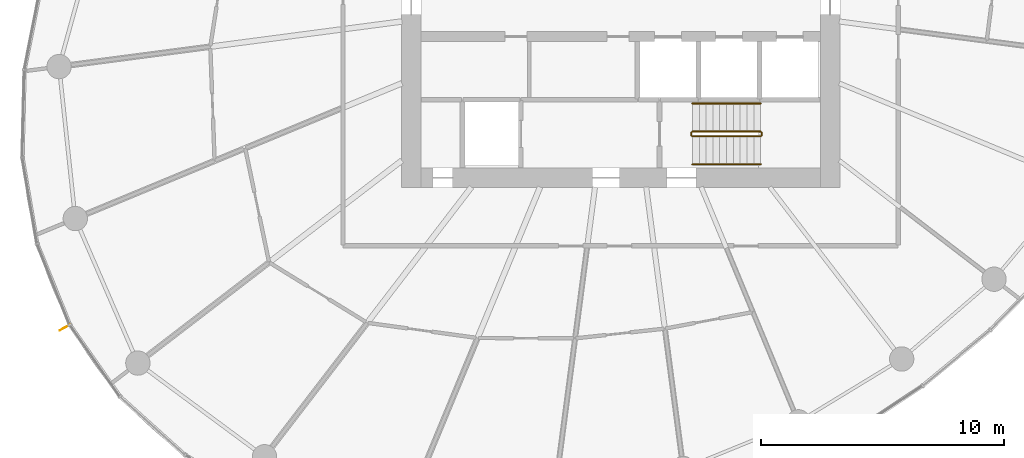
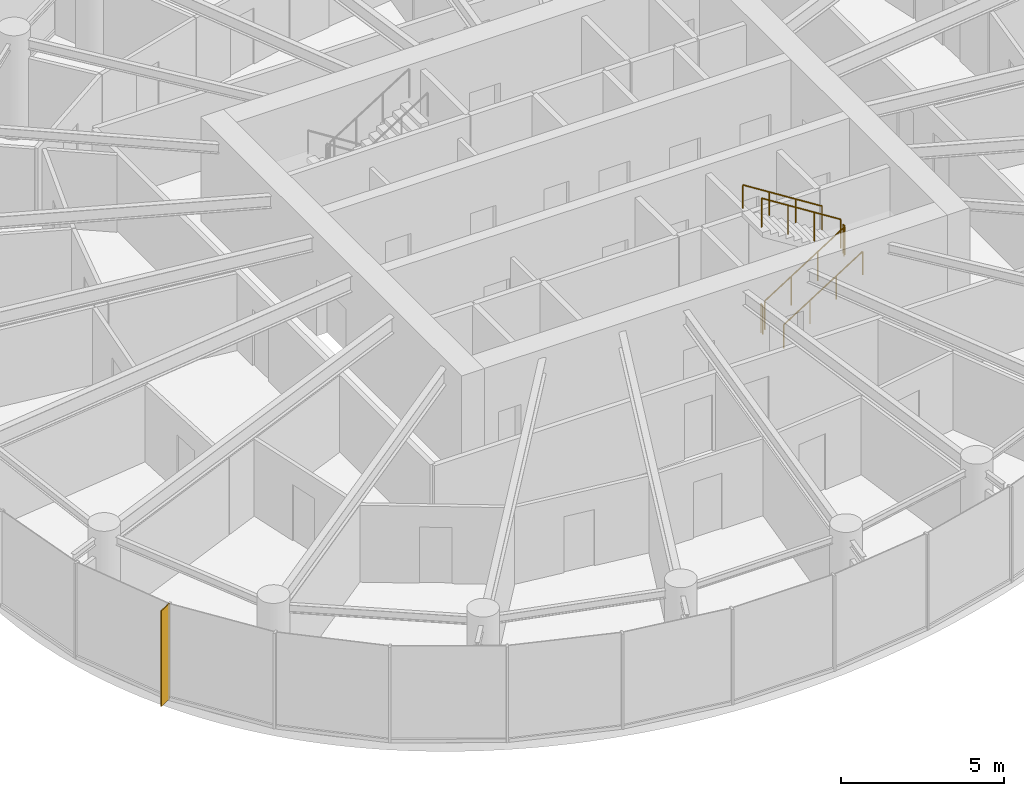
# One storey, part 13 of 15: 6 railings, 1 shading device.
"""IFC4 building model written with IfcOpenShell, lengths in metres."""

from ifc_helpers import new_model, si_unit, direction, frame, origin, origin_2d, place, context, subcontext, project, spatial, rectangle, circle, extrude, source, transform, mapped, material, material_profile, profile_set, type_object, element, save


model = new_model("IFC4")

# Units and contexts
model_context = context("Model", 3, precision=1e-05, world=origin(), true_north=direction((0.0, 1.0)))
body_context = subcontext(model_context, "Body", "Model", "MODEL_VIEW")
ifc_project = project(units=[si_unit("LENGTHUNIT", "METRE"), si_unit("AREAUNIT", "SQUARE_METRE"), si_unit("VOLUMEUNIT", "CUBIC_METRE"), si_unit("PLANEANGLEUNIT", "RADIAN"), si_unit("MASSUNIT", "GRAM", prefix="KILO")], contexts=[model_context])

# Site, building, storey
site_placement = place(None, origin())
site = spatial("IfcSite", under=ifc_project, at=site_placement, CompositionType="ELEMENT")
building_placement = place(site_placement, origin())
building = spatial("IfcBuilding", under=site, at=building_placement, Name="Spindrift Exchange Tower", CompositionType="ELEMENT")
storey_placement = place(building_placement, frame((0.0, 0.0, 168.199951171875)))
storey = spatial("IfcBuildingStorey", under=building, at=storey_placement, Name="L40", CompositionType="ELEMENT", Elevation=168.199951171875)

# Railings
ifc_material_1 = material(Name="Steel balustrade", Category="steel")
railing_type_1 = type_object("IfcRailingType", Name="RL-STAIR-GUARD", PredefinedType="GUARDRAIL", material=ifc_material_1)
railing_1_placement = place(storey_placement, frame((54.949951171875, 42.10009765625, 0.17724609375)))
element("IfcRailing", 1, at=railing_1_placement, inside=storey, type_object=railing_type_1, Name="L40 ST2 stair guard 1", PredefinedType="GUARDRAIL", context=body_context, shape_type="SweptSolid", body=[
    extrude(circle(Radius=0.02392578125, at=origin_2d()), frame((0.0, 0.0, 1.076171875), z_axis=(0.844908973607, 0.0, 0.534910110503), x_axis=(0.0, 1.0, 0.0)), (0.0, 0.0, 1.0), 3.31396484375),
    extrude(circle(Radius=0.02099609375, at=origin_2d()), origin(), (0.0, 0.0, 1.0), 1.052001953125),
    extrude(circle(Radius=0.02099609375, at=origin_2d()), frame((0.933349609375, 0.0, 0.5908203125)), (0.0, 0.0, 1.0), 1.052001953125),
    extrude(circle(Radius=0.02099609375, at=origin_2d()), frame((1.86669921875, 0.0, 1.181884765625)), (0.0, 0.0, 1.0), 1.052001953125),
    extrude(circle(Radius=0.02099609375, at=origin_2d()), frame((2.800048828125, 0.0, 1.772705078125)), (0.0, 0.0, 1.0), 1.052001953125),
])
railing_2_placement = place(storey_placement, frame((57.800048828125, 42.14990234375, 1.949951171875)))
element("IfcRailing", 2, at=railing_2_placement, inside=storey, type_object=railing_type_1, Name="L40 ST2 stair guard 2", PredefinedType="GUARDRAIL", context=body_context, shape_type="SweptSolid", body=[
    extrude(circle(Radius=0.02392578125, at=origin_2d()), frame((0.0, 0.0, 1.076171875), z_axis=(0.0, 1.0, 0.0), x_axis=(-1.0, 0.0, 0.0)), (0.0, 0.0, 1.0), 0.10009765625),
    extrude(circle(Radius=0.02099609375, at=origin_2d()), origin(), (0.0, 0.0, 1.0), 1.052001953125),
    extrude(circle(Radius=0.02099609375, at=origin_2d()), frame((0.0, 0.10009765625, 0.0)), (0.0, 0.0, 1.0), 1.052001953125),
])
railing_3_placement = place(storey_placement, frame((57.75, 42.300048828125, 2.12744140625)))
element("IfcRailing", 3, at=railing_3_placement, inside=storey, type_object=railing_type_1, Name="L40 ST2 stair guard 3", PredefinedType="GUARDRAIL", context=body_context, shape_type="SweptSolid", body=[
    extrude(circle(Radius=0.02392578125, at=origin_2d()), frame((0.0, 0.0, 1.076171875), z_axis=(-0.844908973607, 0.0, 0.534910110503), x_axis=(0.0, -1.0, 0.0)), (0.0, 0.0, 1.0), 3.31396484375),
    extrude(circle(Radius=0.02099609375, at=origin_2d()), origin(), (0.0, 0.0, 1.0), 1.052001953125),
    extrude(circle(Radius=0.02099609375, at=origin_2d()), frame((-0.933349609375, 0.0, 0.5908203125)), (0.0, 0.0, 1.0), 1.052001953125),
    extrude(circle(Radius=0.02099609375, at=origin_2d()), frame((-1.86669921875, 0.0, 1.181884765625)), (0.0, 0.0, 1.0), 1.052001953125),
    extrude(circle(Radius=0.02099609375, at=origin_2d()), frame((-2.800048828125, 0.0, 1.772705078125)), (0.0, 0.0, 1.0), 1.052001953125),
])
railing_4_placement = place(storey_placement, frame((54.89990234375, 42.14990234375, 0.0)))
element("IfcRailing", 4, at=railing_4_placement, inside=storey, type_object=railing_type_1, Name="L40 ST2 stair guard 4", PredefinedType="GUARDRAIL", context=body_context, shape_type="SweptSolid", body=[
    extrude(circle(Radius=0.02392578125, at=origin_2d()), frame((0.0, 0.0, 1.076171875), z_axis=(0.0, 1.0, 0.0), x_axis=(-1.0, 0.0, 0.0)), (0.0, 0.0, 1.0), 0.10009765625),
    extrude(circle(Radius=0.02099609375, at=origin_2d()), origin(), (0.0, 0.0, 1.0), 1.052001953125),
    extrude(circle(Radius=0.02099609375, at=origin_2d()), frame((0.0, 0.10009765625, 0.0)), (0.0, 0.0, 1.0), 1.052001953125),
])
ifc_material_2 = material(Name="Steel tubular handrail", Category="steel")
railing_type_2 = type_object("IfcRailingType", Name="RL-STAIR-HAND", PredefinedType="HANDRAIL", material=ifc_material_2)
railing_5_placement = place(storey_placement, frame((54.949951171875, 40.949951171875, 0.17724609375)))
element("IfcRailing", 5, at=railing_5_placement, inside=storey, type_object=railing_type_2, Name="L40 ST2 stair handrail 1", PredefinedType="HANDRAIL", context=body_context, shape_type="SweptSolid", body=[
    extrude(circle(Radius=0.02392578125, at=origin_2d()), frame((0.0, 0.0, 0.8759765625), z_axis=(0.844908973607, 0.0, 0.534910110503), x_axis=(0.0, 1.0, 0.0)), (0.0, 0.0, 1.0), 3.31396484375),
    extrude(circle(Radius=0.02099609375, at=origin_2d()), origin(), (0.0, 0.0, 1.0), 0.851806640625),
    extrude(circle(Radius=0.02099609375, at=origin_2d()), frame((0.933349609375, 0.0, 0.5908203125)), (0.0, 0.0, 1.0), 0.851806640625),
    extrude(circle(Radius=0.02099609375, at=origin_2d()), frame((1.86669921875, 0.0, 1.181884765625)), (0.0, 0.0, 1.0), 0.851806640625),
    extrude(circle(Radius=0.02099609375, at=origin_2d()), frame((2.800048828125, 0.0, 1.772705078125)), (0.0, 0.0, 1.0), 0.851806640625),
])
railing_6_placement = place(storey_placement, frame((57.75, 43.449951171875, 2.12744140625)))
element("IfcRailing", 6, at=railing_6_placement, inside=storey, type_object=railing_type_2, Name="L40 ST2 stair handrail 2", PredefinedType="HANDRAIL", context=body_context, shape_type="SweptSolid", body=[
    extrude(circle(Radius=0.02392578125, at=origin_2d()), frame((0.0, 0.0, 0.8759765625), z_axis=(-0.844908973607, 0.0, 0.534910110503), x_axis=(0.0, -1.0, 0.0)), (0.0, 0.0, 1.0), 3.31396484375),
    extrude(circle(Radius=0.02099609375, at=origin_2d()), origin(), (0.0, 0.0, 1.0), 0.851806640625),
    extrude(circle(Radius=0.02099609375, at=origin_2d()), frame((-0.933349609375, 0.0, 0.5908203125)), (0.0, 0.0, 1.0), 0.851806640625),
    extrude(circle(Radius=0.02099609375, at=origin_2d()), frame((-1.86669921875, 0.0, 1.181884765625)), (0.0, 0.0, 1.0), 0.851806640625),
    extrude(circle(Radius=0.02099609375, at=origin_2d()), frame((-2.800048828125, 0.0, 1.772705078125)), (0.0, 0.0, 1.0), 0.851806640625),
])

# Shading device
ifc_material_3 = material(Name="Bronze anodised aluminium", Category="aluminium")
ifc_material_profile = material_profile(ifc_material_3, rectangle(XDim=0.030029296875, YDim=0.5, at=origin_2d()), Name="WIND FIN 30X500")
ifc_profile_set = profile_set([ifc_material_profile], Name="Bronze anodised aluminium")
shading_device_type = type_object("IfcShadingDeviceType", Name="WIND FIN 30X500", PredefinedType="USERDEFINED", material=ifc_profile_set)
shared_shape = source(origin(), body_context, "Body", "SweptSolid", [
    extrude(rectangle(XDim=0.030029296875, YDim=0.5, at=origin_2d()), origin(), (0.0, 0.0, 1.0), 3.580078125),
])
shading_device_placement = place(storey_placement, frame((29.184326171875, 34.248779296875, 0.0), z_axis=(0.0, 0.0, 1.0), x_axis=(0.477069795953, -0.878865410509, 0.0)))
element("IfcShadingDevice", 7, at=shading_device_placement, inside=storey, type_object=shading_device_type, Name="L40 wind fin 1", ObjectType="FIN", PredefinedType="USERDEFINED", context=body_context, shape_type="MappedRepresentation", body=[
    mapped(shared_shape, transform((0.0, 0.0, 0.0), scale=1.0)),
])

save(model, "model.ifc")
